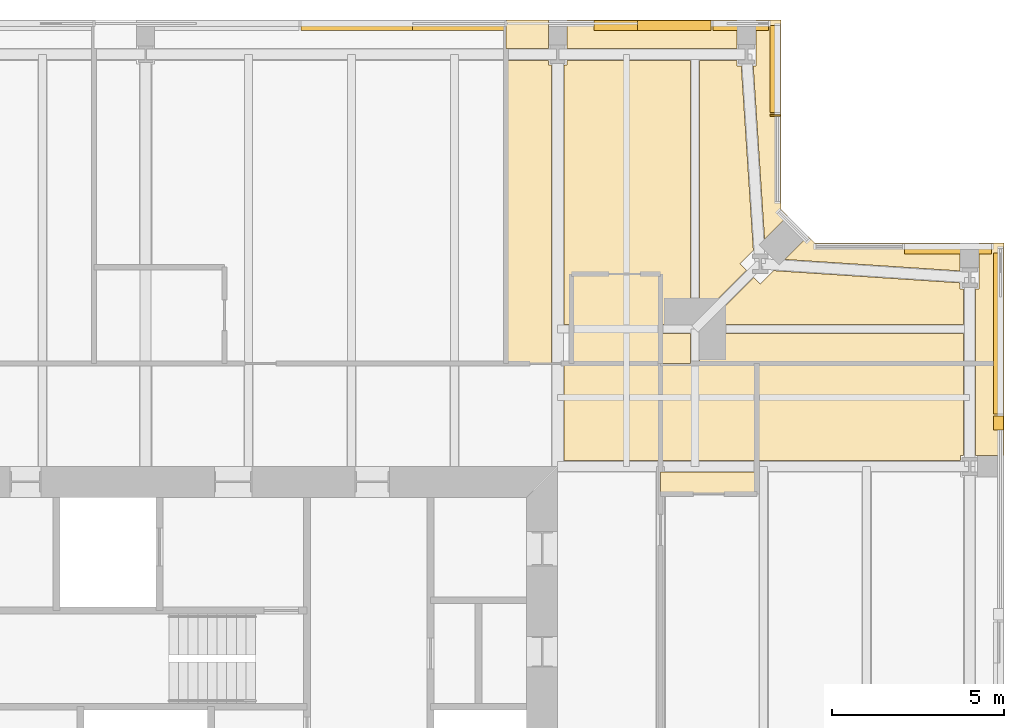
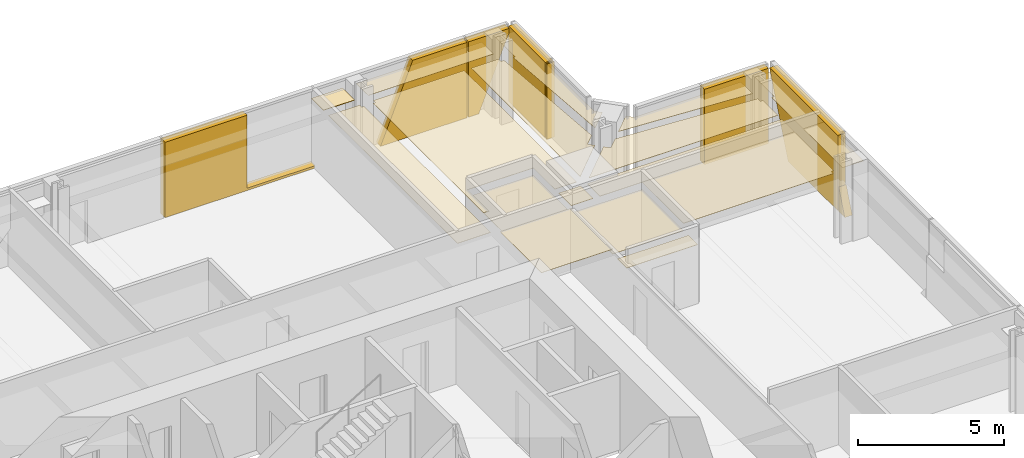
# One storey, part 19 of 20: 25 coverings.
"""IFC4 building model written with IfcOpenShell, lengths in metres."""

from ifc_helpers import new_model, si_unit, direction, frame, origin, place, context, subcontext, project, spatial, polyline, outline, extrude, material, layer, layer_set, type_object, element, save


model = new_model("IFC4")

# Units and contexts
model_context = context("Model", 3, precision=1e-05, world=origin(), true_north=direction((0.0, 1.0)))
body_context = subcontext(model_context, "Body", "Model", "MODEL_VIEW")
ifc_project = project(units=[si_unit("LENGTHUNIT", "METRE"), si_unit("AREAUNIT", "SQUARE_METRE"), si_unit("VOLUMEUNIT", "CUBIC_METRE"), si_unit("PLANEANGLEUNIT", "RADIAN"), si_unit("MASSUNIT", "GRAM", prefix="KILO")], contexts=[model_context])

# Site, building, storey
site_placement = place(None, origin())
site = spatial("IfcSite", under=ifc_project, at=site_placement, CompositionType="ELEMENT")
building_placement = place(site_placement, origin())
building = spatial("IfcBuilding", under=site, at=building_placement, Name="Fenwick Lantern Interchange", CompositionType="ELEMENT")
storey_placement = place(building_placement, frame((0.0, 0.0, 276.39990234375)))
storey = spatial("IfcBuildingStorey", under=building, at=storey_placement, Name="L66", CompositionType="ELEMENT", Elevation=276.39990234375)

# Coverings
ifc_material_1 = material(Name="Granite cladding, warm grey flamed finish, on aluminium carrier frame", Category="masonry")
ifc_layer_1 = layer(ifc_material_1, 0.300048828125)
ifc_layer_set_1 = layer_set([ifc_layer_1], Name="BRACE CASING PANEL 300")
covering_type_1 = type_object("IfcCoveringType", Name="BRACE CASING PANEL 300", PredefinedType="CLADDING", material=ifc_layer_set_1)
covering_1_placement = place(storey_placement, frame((49.89990234375, 6.60009765625, 0.0), z_axis=(0.0, 0.0, 1.0), x_axis=(0.0, 1.0, 0.0)))
element("IfcCovering", 1, at=covering_1_placement, inside=storey, type_object=covering_type_1, Name="Brace casing 05 bay 05b", PredefinedType="CLADDING", context=body_context, shape_type="SweptSolid", body=[
    extrude(outline(polyline([(31.453369140625, 0.0), (31.8701171875, 0.0), (31.8701171875, 1.030029296875), (31.453369140625, 0.0)])), frame((0.0, 0.2099609375, 0.0), z_axis=(0.0, -1.0, 0.0), x_axis=(1.0, 0.0, 0.0)), (0.0, 0.0, 1.0), 0.300048828125),
])
covering_2_placement = place(storey_placement, frame((49.89990234375, 6.60009765625, 0.0), z_axis=(0.0, 0.0, 1.0), x_axis=(0.0, 1.0, 0.0)))
element("IfcCovering", 2, at=covering_2_placement, inside=storey, type_object=covering_type_1, Name="Brace casing 05 bay 06a", PredefinedType="CLADDING", context=body_context, shape_type="SweptSolid", body=[
    extrude(outline(polyline([(31.929931640625, 0.0), (35.336669921875, 0.0), (36.610595703125, 3.150146484375), (31.929931640625, 3.150146484375), (31.929931640625, 0.0)])), frame((0.0, 0.2099609375, 0.0), z_axis=(0.0, -1.0, 0.0), x_axis=(1.0, 0.0, 0.0)), (0.0, 0.0, 1.0), 0.300048828125),
])
covering_3_placement = place(storey_placement, frame((49.89990234375, 43.39990234375, 0.0), z_axis=(0.0, 0.0, 1.0), x_axis=(-1.0, 0.0, 0.0)))
element("IfcCovering", 3, at=covering_3_placement, inside=storey, type_object=covering_type_1, Name="Brace casing 06 bay 00a", PredefinedType="CLADDING", context=body_context, shape_type="SweptSolid", body=[
    extrude(outline(polyline([(0.260009765625, 0.0), (2.790771484375, 0.0), (2.790771484375, 3.150146484375), (0.260009765625, 3.150146484375), (0.260009765625, 0.0)])), frame((0.0, 0.2099609375, 0.0), z_axis=(0.0, -1.0, 0.0), x_axis=(1.0, 0.0, 0.0)), (0.0, 0.0, 1.0), 0.300048828125),
])
covering_4_placement = place(storey_placement, frame((43.39990234375, 44.45849609375, 0.0), z_axis=(0.0, 0.0, 1.0), x_axis=(0.0, 1.0, 0.0)))
element("IfcCovering", 4, at=covering_4_placement, inside=storey, type_object=covering_type_1, Name="Brace casing 08 bay 00a", PredefinedType="CLADDING", context=body_context, shape_type="SweptSolid", body=[
    extrude(outline(polyline([(2.741455078125, 0.0), (2.790771484375, 0.0), (2.790771484375, 3.150146484375), (2.741455078125, 3.150146484375), (2.741455078125, 0.0)])), frame((0.0, 0.2099609375, 0.0), z_axis=(0.0, -1.0, 0.0), x_axis=(1.0, 0.0, 0.0)), (0.0, 0.0, 1.0), 0.300048828125),
])
covering_5_placement = place(storey_placement, frame((43.39990234375, 44.45849609375, 0.0), z_axis=(0.0, 0.0, 1.0), x_axis=(0.0, 1.0, 0.0)))
element("IfcCovering", 5, at=covering_5_placement, inside=storey, type_object=covering_type_1, Name="Brace casing 08 bay 01a", PredefinedType="CLADDING", context=body_context, shape_type="SweptSolid", body=[
    extrude(outline(polyline([(2.850830078125, 0.0), (5.38134765625, 0.0), (5.38134765625, 3.150146484375), (2.850830078125, 3.150146484375), (2.850830078125, 0.0)])), frame((0.0, 0.2099609375, 0.0), z_axis=(0.0, -1.0, 0.0), x_axis=(1.0, 0.0, 0.0)), (0.0, 0.0, 1.0), 0.300048828125),
])
covering_6_placement = place(storey_placement, frame((43.39990234375, 49.89990234375, 0.0), z_axis=(0.0, 0.0, 1.0), x_axis=(-1.0, 0.0, 0.0)))
element("IfcCovering", 6, at=covering_6_placement, inside=storey, type_object=covering_type_1, Name="Brace casing 09 bay 00a", PredefinedType="CLADDING", context=body_context, shape_type="SweptSolid", body=[
    extrude(outline(polyline([(1.46337890625, 0.0), (1.8701171875, 0.0), (1.8701171875, 3.150146484375), (0.260009765625, 3.150146484375), (0.260009765625, 2.9755859375), (1.46337890625, 0.0)])), frame((0.0, 0.2099609375, 0.0), z_axis=(0.0, -1.0, 0.0), x_axis=(1.0, 0.0, 0.0)), (0.0, 0.0, 1.0), 0.300048828125),
])
covering_7_placement = place(storey_placement, frame((43.39990234375, 49.89990234375, 0.0), z_axis=(0.0, 0.0, 1.0), x_axis=(-1.0, 0.0, 0.0)))
element("IfcCovering", 7, at=covering_7_placement, inside=storey, type_object=covering_type_1, Name="Brace casing 09 bay 01a", PredefinedType="CLADDING", context=body_context, shape_type="SweptSolid", body=[
    extrude(outline(polyline([(1.929931640625, 0.0), (5.346435546875, 0.0), (4.07275390625, 3.150146484375), (1.929931640625, 3.150146484375), (1.929931640625, 0.0)])), frame((0.0, 0.2099609375, 0.0), z_axis=(0.0, -1.0, 0.0), x_axis=(1.0, 0.0, 0.0)), (0.0, 0.0, 1.0), 0.300048828125),
])
covering_8_placement = place(storey_placement, frame((43.39990234375, 49.89990234375, 0.0), z_axis=(0.0, 0.0, 1.0), x_axis=(-1.0, 0.0, 0.0)))
element("IfcCovering", 8, at=covering_8_placement, inside=storey, type_object=covering_type_1, Name="Brace casing 09 bay 02a", PredefinedType="CLADDING", context=body_context, shape_type="SweptSolid", body=[
    extrude(outline(polyline([(7.929931640625, 0.0), (13.8701171875, 0.0), (13.8701171875, 3.150146484375), (10.6201171875, 3.150146484375), (10.6201171875, 0.097412109375), (7.929931640625, 0.097412109375), (7.929931640625, 0.0)])), frame((0.0, 0.2099609375, 0.0), z_axis=(0.0, -1.0, 0.0), x_axis=(1.0, 0.0, 0.0)), (0.0, 0.0, 1.0), 0.300048828125),
])
ifc_material_2 = material(Name="Moisture resistant gypsum board on suspended frame, painted")
ifc_layer_2 = layer(ifc_material_2, 0.014892578125)
ifc_layer_set_2 = layer_set([ifc_layer_2], Name="MOISTURE RESISTANT CEILING 15")
covering_type_2 = type_object("IfcCoveringType", Name="MOISTURE RESISTANT CEILING 15", PredefinedType="CEILING", material=ifc_layer_set_2)
covering_9_placement = place(storey_placement, frame((0.0, 0.0, 2.400146484375)))
element("IfcCovering", 9, at=covering_9_placement, inside=storey, type_object=covering_type_2, Name="En-suite 6607 ceiling", PredefinedType="CEILING", context=body_context, shape_type="SweptSolid", body=[
    extrude(outline(polyline([(40.0, 40.0), (40.0, 37.166015625), (42.800048828125, 37.166015625), (42.800048828125, 40.0), (40.0, 40.0)])), origin(), (0.0, 0.0, 1.0), 0.014892578125),
])
covering_10_placement = place(storey_placement, frame((0.0, 0.0, 2.400146484375)))
element("IfcCovering", 10, at=covering_10_placement, inside=storey, type_object=covering_type_2, Name="En-suite 6607 ceiling", PredefinedType="CEILING", context=body_context, shape_type="SweptSolid", body=[
    extrude(outline(polyline([(42.800048828125, 36.199951171875), (42.800048828125, 36.833984375), (40.0, 36.833984375), (40.0, 36.199951171875), (42.800048828125, 36.199951171875)])), origin(), (0.0, 0.0, 1.0), 0.014892578125),
])
covering_11_placement = place(storey_placement, frame((0.0, 0.0, 2.400146484375)))
element("IfcCovering", 11, at=covering_11_placement, inside=storey, type_object=covering_type_2, Name="En-suite 6608 ceiling", PredefinedType="CEILING", context=body_context, shape_type="SweptSolid", body=[
    extrude(outline(polyline([(40.0, 42.60009765625), (37.39990234375, 42.60009765625), (37.39990234375, 40.0), (40.0, 40.0), (40.0, 42.60009765625)])), origin(), (0.0, 0.0, 1.0), 0.014892578125),
])
ifc_material_3 = material(Name="Gypsum plasterboard on suspended frame, painted")
ifc_layer_3 = layer(ifc_material_3, 0.014892578125)
ifc_layer_set_3 = layer_set([ifc_layer_3], Name="PLASTERBOARD CEILING 15")
covering_type_3 = type_object("IfcCoveringType", Name="PLASTERBOARD CEILING 15", PredefinedType="CEILING", material=ifc_layer_set_3)
covering_12_placement = place(storey_placement, frame((0.0, 0.0, 2.60009765625)))
element("IfcCovering", 12, at=covering_12_placement, inside=storey, type_object=covering_type_3, Name="Corridor ceiling", PredefinedType="CEILING", context=body_context, shape_type="SweptSolid", body=[
    extrude(outline(polyline([(40.0, 40.0), (37.183837890625, 40.0), (37.183837890625, 37.166015625), (40.0, 37.166015625), (40.0, 40.0)])), origin(), (0.0, 0.0, 1.0), 0.014892578125),
])
covering_13_placement = place(storey_placement, frame((0.0, 0.0, 2.7001953125)))
element("IfcCovering", 13, at=covering_13_placement, inside=storey, type_object=covering_type_3, Name="Guest suite 6607 ceiling", PredefinedType="CEILING", context=body_context, shape_type="SweptSolid", body=[
    extrude(outline(polyline([(48.72900390625, 37.3154296875), (48.82763671875, 37.3154296875), (48.82763671875, 40.0), (42.800048828125, 40.0), (42.800048828125, 37.166015625), (48.72900390625, 37.166015625), (48.72900390625, 37.3154296875)])), origin(), (0.0, 0.0, 1.0), 0.014892578125),
])
covering_14_placement = place(storey_placement, frame((0.0, 0.0, 2.7001953125)))
element("IfcCovering", 14, at=covering_14_placement, inside=storey, type_object=covering_type_3, Name="Guest suite 6607 ceiling", PredefinedType="CEILING", context=body_context, shape_type="SweptSolid", body=[
    extrude(outline(polyline([(49.17236328125, 37.3154296875), (50.0, 37.3154296875), (50.0, 40.0), (49.17236328125, 40.0), (49.17236328125, 37.3154296875)])), origin(), (0.0, 0.0, 1.0), 0.014892578125),
])
covering_15_placement = place(storey_placement, frame((0.0, 0.0, 2.7001953125)))
element("IfcCovering", 15, at=covering_15_placement, inside=storey, type_object=covering_type_3, Name="Guest suite 6608 ceiling", PredefinedType="CEILING", context=body_context, shape_type="SweptSolid", body=[
    extrude(outline(polyline([(40.0, 42.60009765625), (40.0, 41.134521484375), (40.865478515625, 41.134521484375), (40.865478515625, 48.82763671875), (37.27099609375, 48.82763671875), (37.27099609375, 48.6845703125), (37.183837890625, 48.6845703125), (37.183837890625, 41.134521484375), (37.39990234375, 41.134521484375), (37.39990234375, 42.60009765625), (40.0, 42.60009765625)])), origin(), (0.0, 0.0, 1.0), 0.014892578125),
])
covering_16_placement = place(storey_placement, frame((0.0, 0.0, 2.7001953125)))
element("IfcCovering", 16, at=covering_16_placement, inside=storey, type_object=covering_type_3, Name="Guest suite 6608 ceiling", PredefinedType="CEILING", context=body_context, shape_type="SweptSolid", body=[
    extrude(outline(polyline([(35.5, 40.0), (36.816162109375, 40.0), (36.816162109375, 48.6845703125), (36.72900390625, 48.6845703125), (36.72900390625, 48.82763671875), (35.5, 48.82763671875), (35.5, 40.0)])), origin(), (0.0, 0.0, 1.0), 0.014892578125),
])
covering_17_placement = place(storey_placement, frame((0.0, 0.0, 2.7001953125)))
element("IfcCovering", 17, at=covering_17_placement, inside=storey, type_object=covering_type_3, Name="Guest suite 6608 ceiling", PredefinedType="CEILING", context=body_context, shape_type="SweptSolid", body=[
    extrude(outline(polyline([(42.89990234375, 42.3173828125), (42.71728515625, 42.500244140625), (41.351318359375, 41.134521484375), (48.82763671875, 41.134521484375), (48.82763671875, 42.16552734375), (48.72265625, 42.16552734375), (48.72265625, 42.345458984375), (43.284423828125, 42.701904296875), (42.89990234375, 42.3173828125)])), origin(), (0.0, 0.0, 1.0), 0.014892578125),
])
covering_18_placement = place(storey_placement, frame((0.0, 0.0, 2.7001953125)))
element("IfcCovering", 18, at=covering_18_placement, inside=storey, type_object=covering_type_3, Name="Guest suite 6608 ceiling", PredefinedType="CEILING", context=body_context, shape_type="SweptSolid", body=[
    extrude(outline(polyline([(42.22265625, 48.66552734375), (42.22265625, 48.82763671875), (41.134521484375, 48.82763671875), (41.134521484375, 41.351318359375), (42.500244140625, 42.71728515625), (42.3173828125, 42.89990234375), (42.701904296875, 43.284423828125), (42.34912109375, 48.66552734375), (42.22265625, 48.66552734375)])), origin(), (0.0, 0.0, 1.0), 0.014892578125),
])
covering_19_placement = place(storey_placement, frame((0.0, 0.0, 2.7001953125)))
element("IfcCovering", 19, at=covering_19_placement, inside=storey, type_object=covering_type_3, Name="Guest suite 6608 ceiling", PredefinedType="CEILING", context=body_context, shape_type="SweptSolid", body=[
    extrude(outline(polyline([(41.134521484375, 40.0), (48.82763671875, 40.0), (48.82763671875, 40.865478515625), (41.134521484375, 40.865478515625), (41.134521484375, 40.0)])), origin(), (0.0, 0.0, 1.0), 0.014892578125),
])
covering_20_placement = place(storey_placement, frame((0.0, 0.0, 2.7001953125)))
element("IfcCovering", 20, at=covering_20_placement, inside=storey, type_object=covering_type_3, Name="Guest suite 6608 ceiling", PredefinedType="CEILING", context=body_context, shape_type="SweptSolid", body=[
    extrude(outline(polyline([(42.77734375, 48.66552734375), (42.69482421875, 48.66552734375), (43.0263671875, 43.60888671875), (43.708740234375, 44.291259765625), (43.5, 44.5), (43.5, 50.0), (42.77734375, 50.0), (42.77734375, 48.66552734375)])), origin(), (0.0, 0.0, 1.0), 0.014892578125),
])
covering_21_placement = place(storey_placement, frame((0.0, 0.0, 2.7001953125)))
element("IfcCovering", 21, at=covering_21_placement, inside=storey, type_object=covering_type_3, Name="Guest suite 6608 ceiling", PredefinedType="CEILING", context=body_context, shape_type="SweptSolid", body=[
    extrude(outline(polyline([(37.27099609375, 50.0), (37.27099609375, 49.17236328125), (42.22265625, 49.17236328125), (42.22265625, 50.0), (37.27099609375, 50.0)])), origin(), (0.0, 0.0, 1.0), 0.014892578125),
])
covering_22_placement = place(storey_placement, frame((0.0, 0.0, 2.7001953125)))
element("IfcCovering", 22, at=covering_22_placement, inside=storey, type_object=covering_type_3, Name="Guest suite 6608 ceiling", PredefinedType="CEILING", context=body_context, shape_type="SweptSolid", body=[
    extrude(outline(polyline([(44.291259765625, 43.708740234375), (43.60888671875, 43.0263671875), (48.72265625, 42.69091796875), (48.72265625, 43.5), (44.5, 43.5), (44.291259765625, 43.708740234375)])), origin(), (0.0, 0.0, 1.0), 0.014892578125),
])
covering_23_placement = place(storey_placement, frame((0.0, 0.0, 2.7001953125)))
element("IfcCovering", 23, at=covering_23_placement, inside=storey, type_object=covering_type_3, Name="Guest suite 6608 ceiling", PredefinedType="CEILING", context=body_context, shape_type="SweptSolid", body=[
    extrude(outline(polyline([(49.27734375, 43.5), (49.27734375, 42.16552734375), (49.17236328125, 42.16552734375), (49.17236328125, 40.0), (50.0, 40.0), (50.0, 43.5), (49.27734375, 43.5)])), origin(), (0.0, 0.0, 1.0), 0.014892578125),
])
covering_24_placement = place(storey_placement, frame((0.0, 0.0, 2.7001953125)))
element("IfcCovering", 24, at=covering_24_placement, inside=storey, type_object=covering_type_3, Name="Guest suite 6608 ceiling", PredefinedType="CEILING", context=body_context, shape_type="SweptSolid", body=[
    extrude(outline(polyline([(35.5, 50.0), (35.5, 49.17236328125), (36.72900390625, 49.17236328125), (36.72900390625, 50.0), (35.5, 50.0)])), origin(), (0.0, 0.0, 1.0), 0.014892578125),
])
covering_25_placement = place(storey_placement, frame((0.0, 0.0, 2.7001953125)))
element("IfcCovering", 25, at=covering_25_placement, inside=storey, type_object=covering_type_3, Name="Guest suite 6608 ceiling", PredefinedType="CEILING", context=body_context, shape_type="SweptSolid", body=[
    extrude(outline(polyline([(40.0, 40.0), (40.865478515625, 40.0), (40.865478515625, 40.865478515625), (40.0, 40.865478515625), (40.0, 40.0)])), origin(), (0.0, 0.0, 1.0), 0.014892578125),
])

save(model, "model.ifc")
